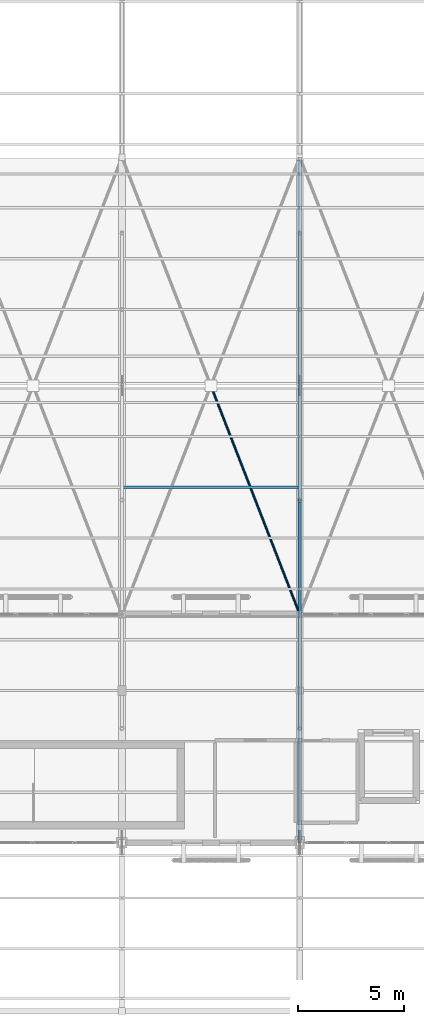
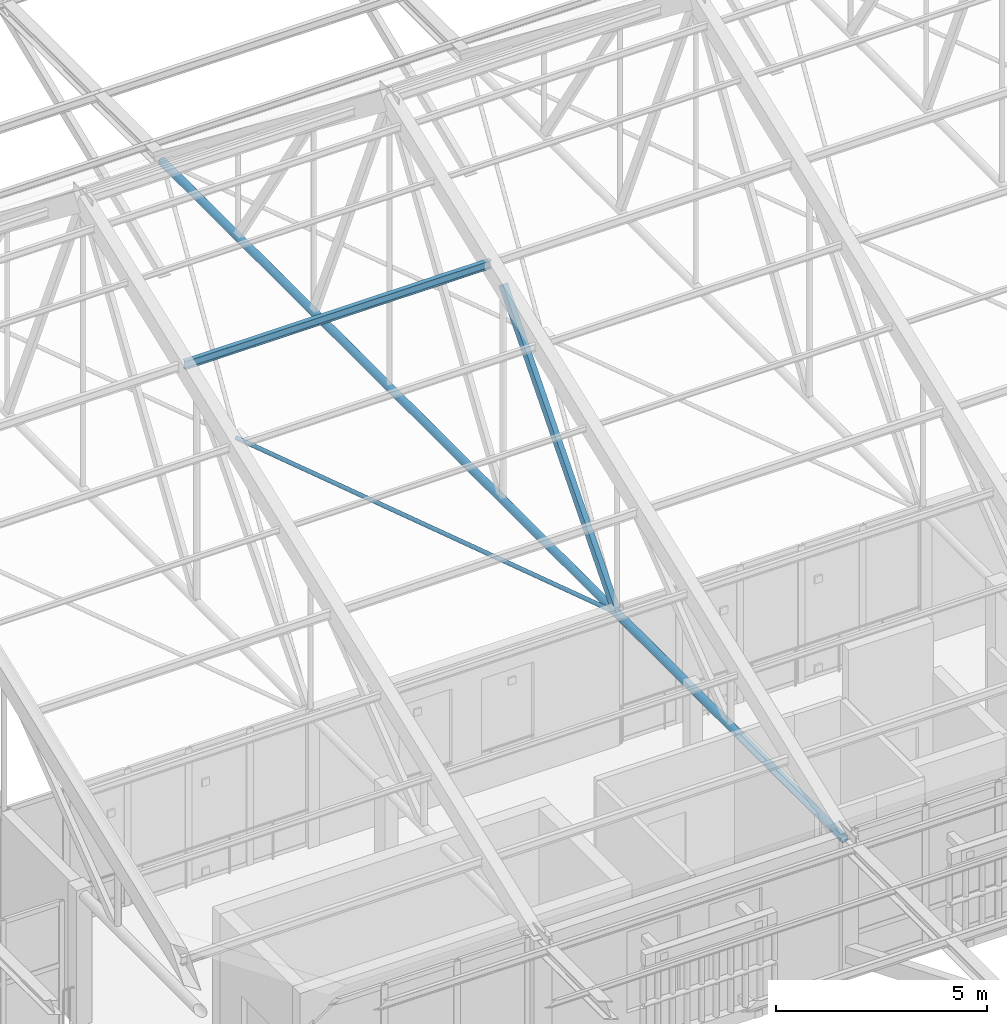
# One storey, part 85 of 217: 4 members.
"""IFC4 building model written with IfcOpenShell, lengths in metres."""

from ifc_helpers import new_model, si_unit, direction, frame, origin, origin_2d, place, context, subcontext, project, spatial, hollow_rectangle, hollow_circle, i_section, extrude, material, material_profile, profile_set, type_object, element, save


model = new_model("IFC4")

# Units and contexts
model_context = context("Model", 3, precision=1e-05, world=origin(), true_north=direction((0.0, 1.0)))
body_context = subcontext(model_context, "Body", "Model", "MODEL_VIEW")
ifc_project = project(units=[si_unit("LENGTHUNIT", "METRE"), si_unit("AREAUNIT", "SQUARE_METRE"), si_unit("VOLUMEUNIT", "CUBIC_METRE"), si_unit("PLANEANGLEUNIT", "RADIAN"), si_unit("MASSUNIT", "GRAM", prefix="KILO")], contexts=[model_context])

# Site, building, storey
site_placement = place(None, origin())
site = spatial("IfcSite", under=ifc_project, at=site_placement, CompositionType="ELEMENT")
building_placement = place(site_placement, origin())
building = spatial("IfcBuilding", under=site, at=building_placement, Name="Mazaris Harbour Polytechnic", CompositionType="ELEMENT")
storey_placement = place(building_placement, frame((0.0, 0.0, 9.60009765625)))
storey = spatial("IfcBuildingStorey", under=building, at=storey_placement, Name="L02", CompositionType="ELEMENT", Elevation=9.60009765625)

# Members
ifc_material_1 = material(Name="Steel S355", Category="steel")
ifc_material_profile_1 = material_profile(ifc_material_1, i_section(OverallWidth=0.1201171875, OverallDepth=0.239990234375, WebThickness=0.006103515625, FlangeThickness=0.009765625, FilletRadius=0.014892578125, at=origin_2d()), Name="IPE 240")
ifc_profile_set_1 = profile_set([ifc_material_profile_1], Name="Steel S355")
member_type_1 = type_object("IfcMemberType", Name="Steel Purlin IPE240", PredefinedType="PURLIN", material=ifc_profile_set_1)
member_1_placement = place(storey_placement, frame((62.39990234375, 92.39990234375, 10.251220703125), z_axis=(1.0, 0.0, 0.0), x_axis=(0.0, 1.0, 0.0)))
element("IfcMember", 1, at=member_1_placement, inside=storey, type_object=member_type_1, Name="V1 Roof Purlin S-32", PredefinedType="PURLIN", context=body_context, shape_type="SweptSolid", body=[
    extrude(i_section(OverallWidth=0.1201171875, OverallDepth=0.239990234375, WebThickness=0.006103515625, FlangeThickness=0.009765625, FilletRadius=0.014892578125, at=origin_2d()), origin(), (0.0, 0.0, 1.0), 8.400146484375),
])
ifc_material_2 = material(Name="Steel S355", Category="steel")
ifc_material_profile_2 = material_profile(ifc_material_2, hollow_circle(Radius=0.109619140625, WallThickness=0.010009765625, at=origin_2d()), Name="CHS 219.1x10.0")
ifc_profile_set_2 = profile_set([ifc_material_profile_2], Name="Steel S355")
member_type_2 = type_object("IfcMemberType", Name="Steel Tie Chord CHS219", PredefinedType="CHORD", material=ifc_profile_set_2)
member_2_placement = place(storey_placement, frame((70.800048828125, 75.60009765625, 3.75), z_axis=(0.0, 1.0, 0.0), x_axis=(-1.0, 0.0, 0.0)))
element("IfcMember", 2, at=member_2_placement, inside=storey, type_object=member_type_2, Name="Truss 3 Continuous Tie Chord", PredefinedType="CHORD", context=body_context, shape_type="SweptSolid", body=[
    extrude(hollow_circle(Radius=0.109619140625, WallThickness=0.010009765625, at=origin_2d()), origin(), (0.0, 0.0, 1.0), 32.39990234375),
])
ifc_material_3 = material(Name="Steel S355", Category="steel")
ifc_material_profile_3 = material_profile(ifc_material_3, hollow_rectangle(XDim=0.139892578125, YDim=0.239990234375, WallThickness=0.010009765625, at=origin_2d()), Name="RHS 140x240x10.0")
ifc_profile_set_3 = profile_set([ifc_material_profile_3], Name="Steel S355")
member_type_3 = type_object("IfcMemberType", Name="Steel Truss Diagonal RHS140x240", PredefinedType="BRACE", material=ifc_profile_set_3)
member_3_placement = place(storey_placement, frame((70.800048828125, 86.39990234375, 3.75), z_axis=(0.0, 0.653042406465, 0.757321342205), x_axis=(-1.0, 0.0, 0.0)))
element("IfcMember", 3, at=member_3_placement, inside=storey, type_object=member_type_3, Name="Truss 3 Web Diagonal S3", PredefinedType="BRACE", context=body_context, shape_type="SweptSolid", body=[
    extrude(hollow_rectangle(XDim=0.139892578125, YDim=0.239990234375, WallThickness=0.010009765625, at=origin_2d()), origin(), (0.0, 0.0, 1.0), 8.269287109375),
])
ifc_material_4 = material(Name="Steel S355", Category="steel")
ifc_material_profile_4 = material_profile(ifc_material_4, hollow_circle(Radius=0.05712890625, WallThickness=0.00634765625, at=origin_2d()), Name="CHS 114.3x6.3")
ifc_profile_set_4 = profile_set([ifc_material_profile_4], Name="Steel S355")
member_type_4 = type_object("IfcMemberType", Name="Steel Wind Brace CHS114", PredefinedType="BRACE", material=ifc_profile_set_4)
member_4_placement = place(storey_placement, frame((66.60009765625, 97.199951171875, 3.75), z_axis=(0.3624411776, -0.932006648463, 0.0), x_axis=(0.932006648463, 0.3624411776, 0.0)))
element("IfcMember", 4, at=member_4_placement, inside=storey, type_object=member_type_4, Name="V1 Split Roof Wind Brace 2B2", PredefinedType="BRACE", context=body_context, shape_type="SweptSolid", body=[
    extrude(hollow_circle(Radius=0.05712890625, WallThickness=0.00634765625, at=origin_2d()), origin(), (0.0, 0.0, 1.0), 11.587890625),
])

save(model, "model.ifc")
